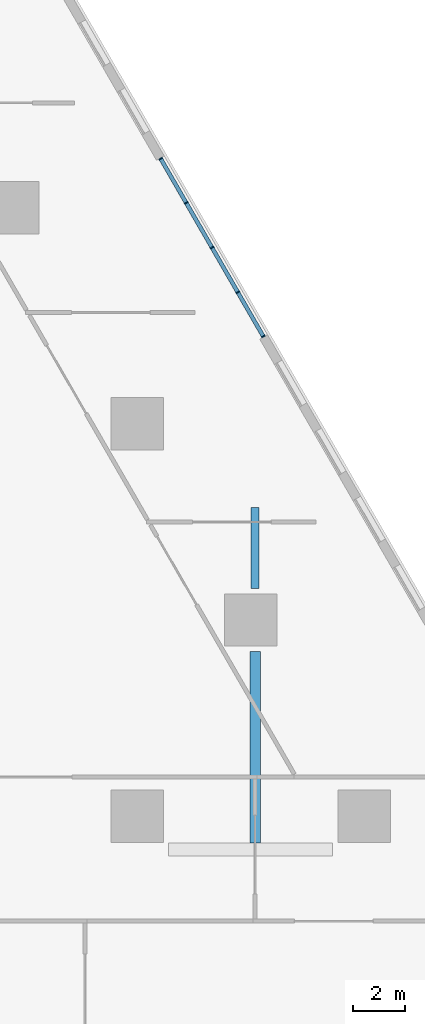
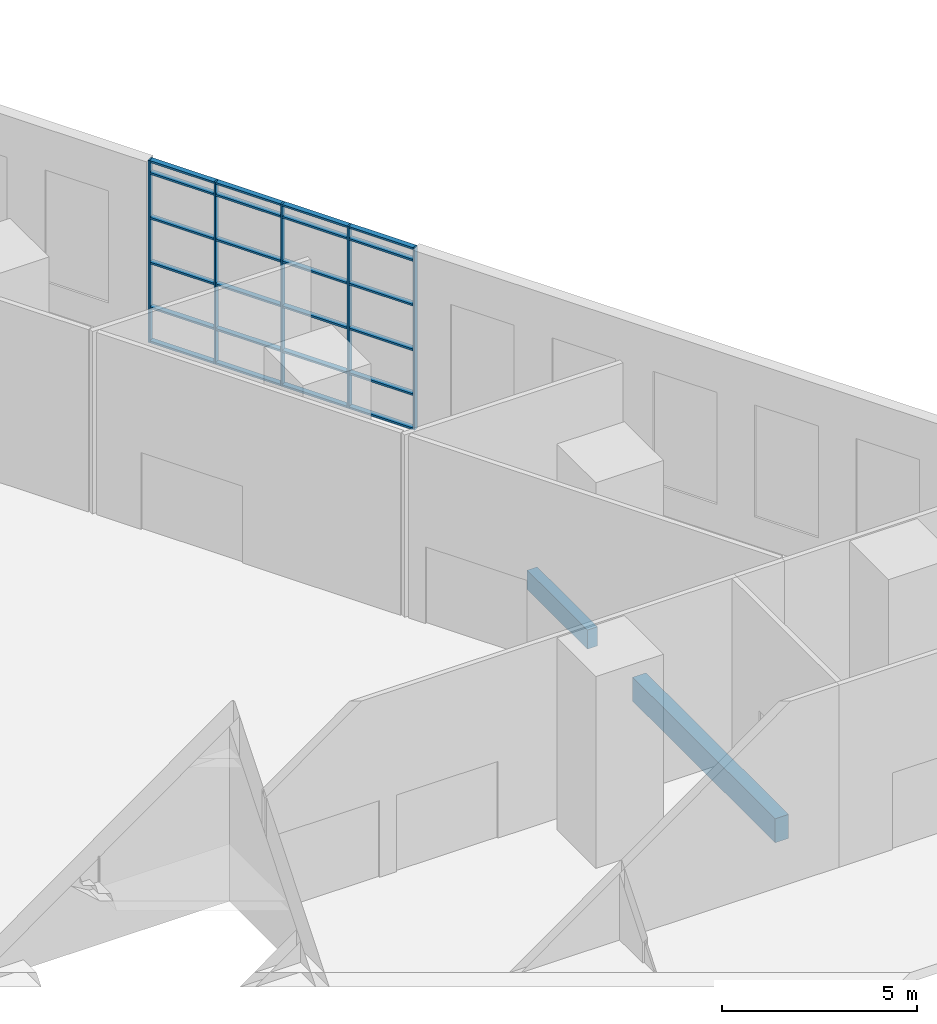
# One storey, part 7 of 27: 29 members, 2 beams, 1 element without a shape of its own.
"""IFC4 building model written with IfcOpenShell, lengths in metres."""

from ifc_helpers import new_model, si_unit, direction, frame, origin, origin_2d, place, context, subcontext, project, spatial, rectangle, extrude, material, material_profile, profile_set, type_object, element, aggregate, save


model = new_model("IFC4")

# Units and contexts
model_context = context("Model", 3, precision=1e-05, world=origin(), true_north=direction((0.0, 1.0)))
body_context = subcontext(model_context, "Body", "Model", "MODEL_VIEW")
ifc_project = project(units=[si_unit("LENGTHUNIT", "METRE"), si_unit("AREAUNIT", "SQUARE_METRE"), si_unit("VOLUMEUNIT", "CUBIC_METRE"), si_unit("PLANEANGLEUNIT", "RADIAN"), si_unit("MASSUNIT", "GRAM", prefix="KILO")], contexts=[model_context])

# Site, building, storey
site_placement = place(None, origin())
site = spatial("IfcSite", under=ifc_project, at=site_placement, CompositionType="ELEMENT")
building_placement = place(site_placement, origin())
building = spatial("IfcBuilding", under=site, at=building_placement, Name="Fogline Exchange Tower", CompositionType="ELEMENT")
storey_placement = place(building_placement, frame((0.0, 0.0, 8.0)))
storey = spatial("IfcBuildingStorey", under=building, at=storey_placement, Name="L01", CompositionType="ELEMENT", Elevation=8.0)

# Beams
ifc_material_1 = material(Name="Concrete C40", Category="concrete")
ifc_material_profile_1 = material_profile(ifc_material_1, rectangle(XDim=0.39990234375, YDim=0.75, at=origin_2d()), Name="RC 400x750")
ifc_profile_set_1 = profile_set([ifc_material_profile_1], Name="Concrete C40")
beam_type_1 = type_object("IfcBeamType", Name="B05", PredefinedType="BEAM", material=ifc_profile_set_1)
beam_1_placement = place(storey_placement, frame((18.0, 31.75, -0.675048828125), z_axis=(0.0, 1.0, 0.0), x_axis=(-1.0, 0.0, 0.0)))
element("IfcBeam", 1, at=beam_1_placement, inside=storey, type_object=beam_type_1, Name="SB038", PredefinedType="BEAM", context=body_context, shape_type="SweptSolid", body=[
    extrude(rectangle(XDim=0.39990234375, YDim=0.75, at=origin_2d()), origin(), (0.0, 0.0, 1.0), 7.30810546875),
])
ifc_material_profile_2 = material_profile(ifc_material_1, rectangle(XDim=0.300048828125, YDim=0.60009765625, at=origin_2d()), Name="RC 300x600")
ifc_profile_set_2 = profile_set([ifc_material_profile_2], Name="Concrete C40")
beam_type_2 = type_object("IfcBeamType", Name="B06", PredefinedType="BEAM", material=ifc_profile_set_2)
beam_2_placement = place(storey_placement, frame((18.0, 41.4580078125, -0.60009765625), z_axis=(0.0, 1.0, 0.0), x_axis=(-1.0, 0.0, 0.0)))
element("IfcBeam", 2, at=beam_2_placement, inside=storey, type_object=beam_type_2, Name="SB039", PredefinedType="BEAM", context=body_context, shape_type="SweptSolid", body=[
    extrude(rectangle(XDim=0.300048828125, YDim=0.60009765625, at=origin_2d()), origin(), (0.0, 0.0, 1.0), 3.092041015625),
])

# Curtain wall, members
ifc_material_2 = material(Name="Aluminium and glass", Category="aluminium")
curtain_wall_type = type_object("IfcCurtainWallType", Name="CW3", PredefinedType="NOTDEFINED", material=ifc_material_2)
curtain_wall_placement = place(storey_placement, origin())
curtain_wall = element("IfcCurtainWall", 3, at=curtain_wall_placement, inside=storey, type_object=curtain_wall_type, Name="CW3 L01 E run 3", PredefinedType="NOTDEFINED")
ifc_material_3 = material(Name="Aluminium", Category="aluminium")
ifc_material_profile_3 = material_profile(ifc_material_3, rectangle(XDim=0.14990234375, YDim=0.050048828125, at=origin_2d()), Name="Mullion 50x150")
ifc_profile_set_3 = profile_set([ifc_material_profile_3], Name="Aluminium")
member_type_1 = type_object("IfcMemberType", Name="CW3-M", PredefinedType="MULLION", material=ifc_profile_set_3)
member_1_placement = place(storey_placement, frame((18.3115234375, 51.08203125, 0.0), z_axis=(0.0, 0.0, 1.0), x_axis=(-0.866025393993, -0.500000016959, 0.0)))
member_1 = element("IfcMember", 4, at=member_1_placement, type_object=member_type_1, Name="CW3-P01-06 mullion 1", PredefinedType="MULLION", context=body_context, shape_type="SweptSolid", body=[
    extrude(rectangle(XDim=0.14990234375, YDim=0.050048828125, at=origin_2d()), origin(), (0.0, 0.0, 1.0), 5.699951171875),
])
member_2_placement = place(storey_placement, frame((17.33837890625, 52.767333984375, 0.0), z_axis=(0.0, 0.0, 1.0), x_axis=(-0.866025393993, -0.500000016959, 0.0)))
member_2 = element("IfcMember", 5, at=member_2_placement, type_object=member_type_1, Name="CW3-P01-06 mullion 2", PredefinedType="MULLION", context=body_context, shape_type="SweptSolid", body=[
    extrude(rectangle(XDim=0.14990234375, YDim=0.050048828125, at=origin_2d()), origin(), (0.0, 0.0, 1.0), 5.699951171875),
])
member_3_placement = place(storey_placement, frame((16.352783203125, 54.474609375, 0.0), z_axis=(0.0, 0.0, 1.0), x_axis=(-0.866025393993, -0.500000016959, 0.0)))
member_3 = element("IfcMember", 6, at=member_3_placement, type_object=member_type_1, Name="CW3-P01-06 mullion 3", PredefinedType="MULLION", context=body_context, shape_type="SweptSolid", body=[
    extrude(rectangle(XDim=0.14990234375, YDim=0.050048828125, at=origin_2d()), origin(), (0.0, 0.0, 1.0), 5.699951171875),
])
member_4_placement = place(storey_placement, frame((15.3671875, 56.181640625, 0.0), z_axis=(0.0, 0.0, 1.0), x_axis=(-0.866025393993, -0.500000016959, 0.0)))
member_4 = element("IfcMember", 7, at=member_4_placement, type_object=member_type_1, Name="CW3-P01-06 mullion 4", PredefinedType="MULLION", context=body_context, shape_type="SweptSolid", body=[
    extrude(rectangle(XDim=0.14990234375, YDim=0.050048828125, at=origin_2d()), origin(), (0.0, 0.0, 1.0), 5.699951171875),
])
member_5_placement = place(storey_placement, frame((14.39404296875, 57.8671875, 0.0), z_axis=(0.0, 0.0, 1.0), x_axis=(-0.866025393993, -0.500000016959, 0.0)))
member_5 = element("IfcMember", 8, at=member_5_placement, type_object=member_type_1, Name="CW3-P01-06 mullion 5", PredefinedType="MULLION", context=body_context, shape_type="SweptSolid", body=[
    extrude(rectangle(XDim=0.14990234375, YDim=0.050048828125, at=origin_2d()), origin(), (0.0, 0.0, 1.0), 5.699951171875),
])
ifc_material_profile_4 = material_profile(ifc_material_3, rectangle(XDim=0.14990234375, YDim=0.06005859375, at=origin_2d()), Name="Transom 60x150")
ifc_profile_set_4 = profile_set([ifc_material_profile_4], Name="Aluminium")
member_type_2 = type_object("IfcMemberType", Name="CW3-T", PredefinedType="USERDEFINED", material=ifc_profile_set_4)
member_6_placement = place(storey_placement, frame((18.299072265625, 51.103515625, 0.030029296875), z_axis=(-0.500015905979, 0.866016220268, 0.0), x_axis=(-0.866016220268, -0.500015905979, 0.0)))
member_6 = element("IfcMember", 9, at=member_6_placement, type_object=member_type_2, Name="CW3-P01-06 transom 1.1", ObjectType="TRANSOM", PredefinedType="USERDEFINED", context=body_context, shape_type="SweptSolid", body=[
    extrude(rectangle(XDim=0.14990234375, YDim=0.06005859375, at=origin_2d()), origin(), (0.0, 0.0, 1.0), 1.896484375),
])
member_7_placement = place(storey_placement, frame((18.299072265625, 51.103515625, 1.10009765625), z_axis=(-0.500015905979, 0.866016220268, 0.0), x_axis=(-0.866016220268, -0.500015905979, 0.0)))
member_7 = element("IfcMember", 10, at=member_7_placement, type_object=member_type_2, Name="CW3-P01-06 transom 1.2", ObjectType="TRANSOM", PredefinedType="USERDEFINED", context=body_context, shape_type="SweptSolid", body=[
    extrude(rectangle(XDim=0.14990234375, YDim=0.06005859375, at=origin_2d()), origin(), (0.0, 0.0, 1.0), 1.896484375),
])
member_8_placement = place(storey_placement, frame((18.299072265625, 51.103515625, 2.5), z_axis=(-0.500015905979, 0.866016220268, 0.0), x_axis=(-0.866016220268, -0.500015905979, 0.0)))
member_8 = element("IfcMember", 11, at=member_8_placement, type_object=member_type_2, Name="CW3-P01-06 transom 1.3", ObjectType="TRANSOM", PredefinedType="USERDEFINED", context=body_context, shape_type="SweptSolid", body=[
    extrude(rectangle(XDim=0.14990234375, YDim=0.06005859375, at=origin_2d()), origin(), (0.0, 0.0, 1.0), 1.896484375),
])
member_9_placement = place(storey_placement, frame((18.299072265625, 51.103515625, 3.89990234375), z_axis=(-0.500015905979, 0.866016220268, 0.0), x_axis=(-0.866016220268, -0.500015905979, 0.0)))
member_9 = element("IfcMember", 12, at=member_9_placement, type_object=member_type_2, Name="CW3-P01-06 transom 1.4", ObjectType="TRANSOM", PredefinedType="USERDEFINED", context=body_context, shape_type="SweptSolid", body=[
    extrude(rectangle(XDim=0.14990234375, YDim=0.06005859375, at=origin_2d()), origin(), (0.0, 0.0, 1.0), 1.896484375),
])
member_10_placement = place(storey_placement, frame((18.299072265625, 51.103515625, 5.300048828125), z_axis=(-0.500015905979, 0.866016220268, 0.0), x_axis=(-0.866016220268, -0.500015905979, 0.0)))
member_10 = element("IfcMember", 13, at=member_10_placement, type_object=member_type_2, Name="CW3-P01-06 transom 1.5", ObjectType="TRANSOM", PredefinedType="USERDEFINED", context=body_context, shape_type="SweptSolid", body=[
    extrude(rectangle(XDim=0.14990234375, YDim=0.06005859375, at=origin_2d()), origin(), (0.0, 0.0, 1.0), 1.896484375),
])
member_11_placement = place(storey_placement, frame((18.299072265625, 51.103515625, 5.669921875), z_axis=(-0.500015905979, 0.866016220268, 0.0), x_axis=(-0.866016220268, -0.500015905979, 0.0)))
member_11 = element("IfcMember", 14, at=member_11_placement, type_object=member_type_2, Name="CW3-P01-06 transom 1.6", ObjectType="TRANSOM", PredefinedType="USERDEFINED", context=body_context, shape_type="SweptSolid", body=[
    extrude(rectangle(XDim=0.14990234375, YDim=0.06005859375, at=origin_2d()), origin(), (0.0, 0.0, 1.0), 1.896484375),
])
member_12_placement = place(storey_placement, frame((17.325927734375, 52.7890625, 0.030029296875), z_axis=(-0.500034110783, 0.866005709019, 0.0), x_axis=(-0.866005709019, -0.500034110783, 0.0)))
member_12 = element("IfcMember", 15, at=member_12_placement, type_object=member_type_2, Name="CW3-P01-06 transom 2.1", ObjectType="TRANSOM", PredefinedType="USERDEFINED", context=body_context, shape_type="SweptSolid", body=[
    extrude(rectangle(XDim=0.14990234375, YDim=0.06005859375, at=origin_2d()), origin(), (0.0, 0.0, 1.0), 1.921142578125),
])
member_13_placement = place(storey_placement, frame((17.325927734375, 52.7890625, 1.10009765625), z_axis=(-0.500034110783, 0.866005709019, 0.0), x_axis=(-0.866005709019, -0.500034110783, 0.0)))
member_13 = element("IfcMember", 16, at=member_13_placement, type_object=member_type_2, Name="CW3-P01-06 transom 2.2", ObjectType="TRANSOM", PredefinedType="USERDEFINED", context=body_context, shape_type="SweptSolid", body=[
    extrude(rectangle(XDim=0.14990234375, YDim=0.06005859375, at=origin_2d()), origin(), (0.0, 0.0, 1.0), 1.921142578125),
])
member_14_placement = place(storey_placement, frame((17.325927734375, 52.7890625, 2.5), z_axis=(-0.500034110783, 0.866005709019, 0.0), x_axis=(-0.866005709019, -0.500034110783, 0.0)))
member_14 = element("IfcMember", 17, at=member_14_placement, type_object=member_type_2, Name="CW3-P01-06 transom 2.3", ObjectType="TRANSOM", PredefinedType="USERDEFINED", context=body_context, shape_type="SweptSolid", body=[
    extrude(rectangle(XDim=0.14990234375, YDim=0.06005859375, at=origin_2d()), origin(), (0.0, 0.0, 1.0), 1.921142578125),
])
member_15_placement = place(storey_placement, frame((17.325927734375, 52.7890625, 3.89990234375), z_axis=(-0.500034110783, 0.866005709019, 0.0), x_axis=(-0.866005709019, -0.500034110783, 0.0)))
member_15 = element("IfcMember", 18, at=member_15_placement, type_object=member_type_2, Name="CW3-P01-06 transom 2.4", ObjectType="TRANSOM", PredefinedType="USERDEFINED", context=body_context, shape_type="SweptSolid", body=[
    extrude(rectangle(XDim=0.14990234375, YDim=0.06005859375, at=origin_2d()), origin(), (0.0, 0.0, 1.0), 1.921142578125),
])
member_16_placement = place(storey_placement, frame((17.325927734375, 52.7890625, 5.300048828125), z_axis=(-0.500034110783, 0.866005709019, 0.0), x_axis=(-0.866005709019, -0.500034110783, 0.0)))
member_16 = element("IfcMember", 19, at=member_16_placement, type_object=member_type_2, Name="CW3-P01-06 transom 2.5", ObjectType="TRANSOM", PredefinedType="USERDEFINED", context=body_context, shape_type="SweptSolid", body=[
    extrude(rectangle(XDim=0.14990234375, YDim=0.06005859375, at=origin_2d()), origin(), (0.0, 0.0, 1.0), 1.921142578125),
])
member_17_placement = place(storey_placement, frame((17.325927734375, 52.7890625, 5.669921875), z_axis=(-0.500034110783, 0.866005709019, 0.0), x_axis=(-0.866005709019, -0.500034110783, 0.0)))
member_17 = element("IfcMember", 20, at=member_17_placement, type_object=member_type_2, Name="CW3-P01-06 transom 2.6", ObjectType="TRANSOM", PredefinedType="USERDEFINED", context=body_context, shape_type="SweptSolid", body=[
    extrude(rectangle(XDim=0.14990234375, YDim=0.06005859375, at=origin_2d()), origin(), (0.0, 0.0, 1.0), 1.921142578125),
])
member_18_placement = place(storey_placement, frame((16.34033203125, 54.496337890625, 0.030029296875), z_axis=(-0.500034110783, 0.866005709019, 0.0), x_axis=(-0.866005709019, -0.500034110783, 0.0)))
member_18 = element("IfcMember", 21, at=member_18_placement, type_object=member_type_2, Name="CW3-P01-06 transom 3.1", ObjectType="TRANSOM", PredefinedType="USERDEFINED", context=body_context, shape_type="SweptSolid", body=[
    extrude(rectangle(XDim=0.14990234375, YDim=0.06005859375, at=origin_2d()), origin(), (0.0, 0.0, 1.0), 1.921142578125),
])
member_19_placement = place(storey_placement, frame((16.34033203125, 54.496337890625, 1.10009765625), z_axis=(-0.500034110783, 0.866005709019, 0.0), x_axis=(-0.866005709019, -0.500034110783, 0.0)))
member_19 = element("IfcMember", 22, at=member_19_placement, type_object=member_type_2, Name="CW3-P01-06 transom 3.2", ObjectType="TRANSOM", PredefinedType="USERDEFINED", context=body_context, shape_type="SweptSolid", body=[
    extrude(rectangle(XDim=0.14990234375, YDim=0.06005859375, at=origin_2d()), origin(), (0.0, 0.0, 1.0), 1.921142578125),
])
member_20_placement = place(storey_placement, frame((16.34033203125, 54.496337890625, 2.5), z_axis=(-0.500034110783, 0.866005709019, 0.0), x_axis=(-0.866005709019, -0.500034110783, 0.0)))
member_20 = element("IfcMember", 23, at=member_20_placement, type_object=member_type_2, Name="CW3-P01-06 transom 3.3", ObjectType="TRANSOM", PredefinedType="USERDEFINED", context=body_context, shape_type="SweptSolid", body=[
    extrude(rectangle(XDim=0.14990234375, YDim=0.06005859375, at=origin_2d()), origin(), (0.0, 0.0, 1.0), 1.921142578125),
])
member_21_placement = place(storey_placement, frame((16.34033203125, 54.496337890625, 3.89990234375), z_axis=(-0.500034110783, 0.866005709019, 0.0), x_axis=(-0.866005709019, -0.500034110783, 0.0)))
member_21 = element("IfcMember", 24, at=member_21_placement, type_object=member_type_2, Name="CW3-P01-06 transom 3.4", ObjectType="TRANSOM", PredefinedType="USERDEFINED", context=body_context, shape_type="SweptSolid", body=[
    extrude(rectangle(XDim=0.14990234375, YDim=0.06005859375, at=origin_2d()), origin(), (0.0, 0.0, 1.0), 1.921142578125),
])
member_22_placement = place(storey_placement, frame((16.34033203125, 54.496337890625, 5.300048828125), z_axis=(-0.500034110783, 0.866005709019, 0.0), x_axis=(-0.866005709019, -0.500034110783, 0.0)))
member_22 = element("IfcMember", 25, at=member_22_placement, type_object=member_type_2, Name="CW3-P01-06 transom 3.5", ObjectType="TRANSOM", PredefinedType="USERDEFINED", context=body_context, shape_type="SweptSolid", body=[
    extrude(rectangle(XDim=0.14990234375, YDim=0.06005859375, at=origin_2d()), origin(), (0.0, 0.0, 1.0), 1.921142578125),
])
member_23_placement = place(storey_placement, frame((16.34033203125, 54.496337890625, 5.669921875), z_axis=(-0.500034110783, 0.866005709019, 0.0), x_axis=(-0.866005709019, -0.500034110783, 0.0)))
member_23 = element("IfcMember", 26, at=member_23_placement, type_object=member_type_2, Name="CW3-P01-06 transom 3.6", ObjectType="TRANSOM", PredefinedType="USERDEFINED", context=body_context, shape_type="SweptSolid", body=[
    extrude(rectangle(XDim=0.14990234375, YDim=0.06005859375, at=origin_2d()), origin(), (0.0, 0.0, 1.0), 1.921142578125),
])
member_24_placement = place(storey_placement, frame((15.354736328125, 56.203369140625, 0.030029296875), z_axis=(-0.500015905979, 0.866016220268, 0.0), x_axis=(-0.866016220268, -0.500015905979, 0.0)))
member_24 = element("IfcMember", 27, at=member_24_placement, type_object=member_type_2, Name="CW3-P01-06 transom 4.1", ObjectType="TRANSOM", PredefinedType="USERDEFINED", context=body_context, shape_type="SweptSolid", body=[
    extrude(rectangle(XDim=0.14990234375, YDim=0.06005859375, at=origin_2d()), origin(), (0.0, 0.0, 1.0), 1.896484375),
])
member_25_placement = place(storey_placement, frame((15.354736328125, 56.203369140625, 1.10009765625), z_axis=(-0.500015905979, 0.866016220268, 0.0), x_axis=(-0.866016220268, -0.500015905979, 0.0)))
member_25 = element("IfcMember", 28, at=member_25_placement, type_object=member_type_2, Name="CW3-P01-06 transom 4.2", ObjectType="TRANSOM", PredefinedType="USERDEFINED", context=body_context, shape_type="SweptSolid", body=[
    extrude(rectangle(XDim=0.14990234375, YDim=0.06005859375, at=origin_2d()), origin(), (0.0, 0.0, 1.0), 1.896484375),
])
member_26_placement = place(storey_placement, frame((15.354736328125, 56.203369140625, 2.5), z_axis=(-0.500015905979, 0.866016220268, 0.0), x_axis=(-0.866016220268, -0.500015905979, 0.0)))
member_26 = element("IfcMember", 29, at=member_26_placement, type_object=member_type_2, Name="CW3-P01-06 transom 4.3", ObjectType="TRANSOM", PredefinedType="USERDEFINED", context=body_context, shape_type="SweptSolid", body=[
    extrude(rectangle(XDim=0.14990234375, YDim=0.06005859375, at=origin_2d()), origin(), (0.0, 0.0, 1.0), 1.896484375),
])
member_27_placement = place(storey_placement, frame((15.354736328125, 56.203369140625, 3.89990234375), z_axis=(-0.500015905979, 0.866016220268, 0.0), x_axis=(-0.866016220268, -0.500015905979, 0.0)))
member_27 = element("IfcMember", 30, at=member_27_placement, type_object=member_type_2, Name="CW3-P01-06 transom 4.4", ObjectType="TRANSOM", PredefinedType="USERDEFINED", context=body_context, shape_type="SweptSolid", body=[
    extrude(rectangle(XDim=0.14990234375, YDim=0.06005859375, at=origin_2d()), origin(), (0.0, 0.0, 1.0), 1.896484375),
])
member_28_placement = place(storey_placement, frame((15.354736328125, 56.203369140625, 5.300048828125), z_axis=(-0.500015905979, 0.866016220268, 0.0), x_axis=(-0.866016220268, -0.500015905979, 0.0)))
member_28 = element("IfcMember", 31, at=member_28_placement, type_object=member_type_2, Name="CW3-P01-06 transom 4.5", ObjectType="TRANSOM", PredefinedType="USERDEFINED", context=body_context, shape_type="SweptSolid", body=[
    extrude(rectangle(XDim=0.14990234375, YDim=0.06005859375, at=origin_2d()), origin(), (0.0, 0.0, 1.0), 1.896484375),
])
member_29_placement = place(storey_placement, frame((15.354736328125, 56.203369140625, 5.669921875), z_axis=(-0.500015905979, 0.866016220268, 0.0), x_axis=(-0.866016220268, -0.500015905979, 0.0)))
member_29 = element("IfcMember", 32, at=member_29_placement, type_object=member_type_2, Name="CW3-P01-06 transom 4.6", ObjectType="TRANSOM", PredefinedType="USERDEFINED", context=body_context, shape_type="SweptSolid", body=[
    extrude(rectangle(XDim=0.14990234375, YDim=0.06005859375, at=origin_2d()), origin(), (0.0, 0.0, 1.0), 1.896484375),
])
aggregate(curtain_wall, [member_1, member_2, member_3, member_4, member_5, member_6, member_7, member_8, member_9, member_10, member_11, member_12, member_13, member_14, member_15, member_16, member_17, member_18, member_19, member_20, member_21, member_22, member_23, member_24, member_25, member_26, member_27, member_28, member_29])

save(model, "model.ifc")
